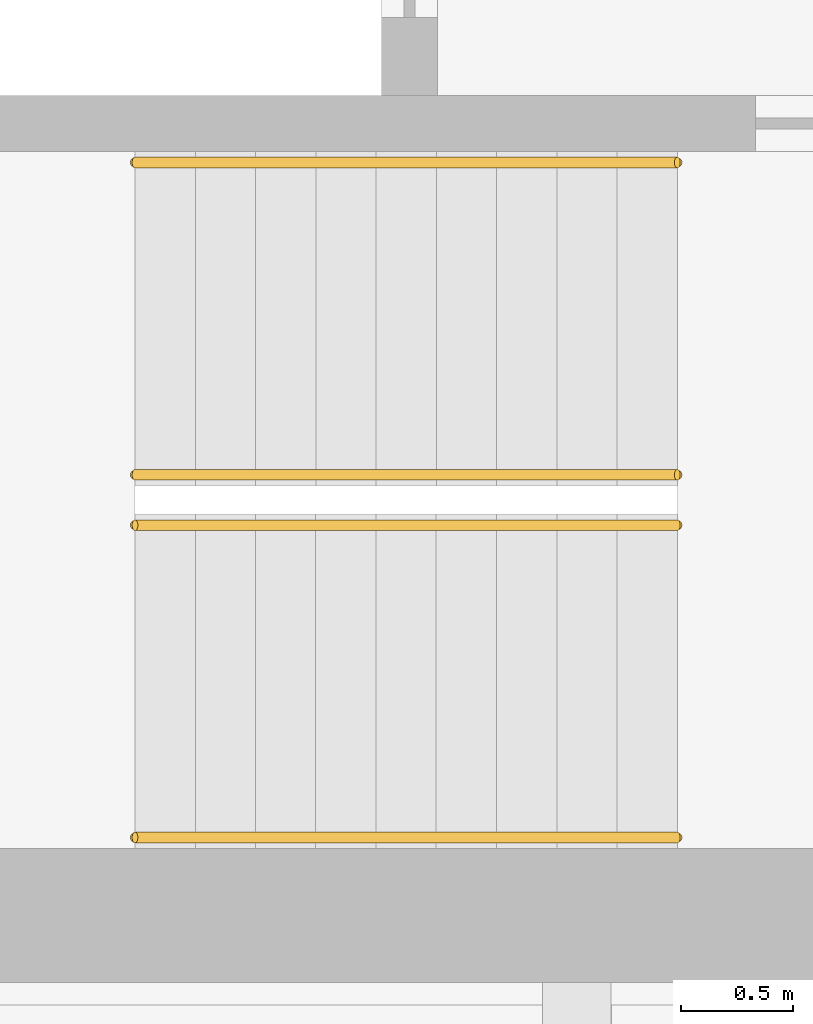
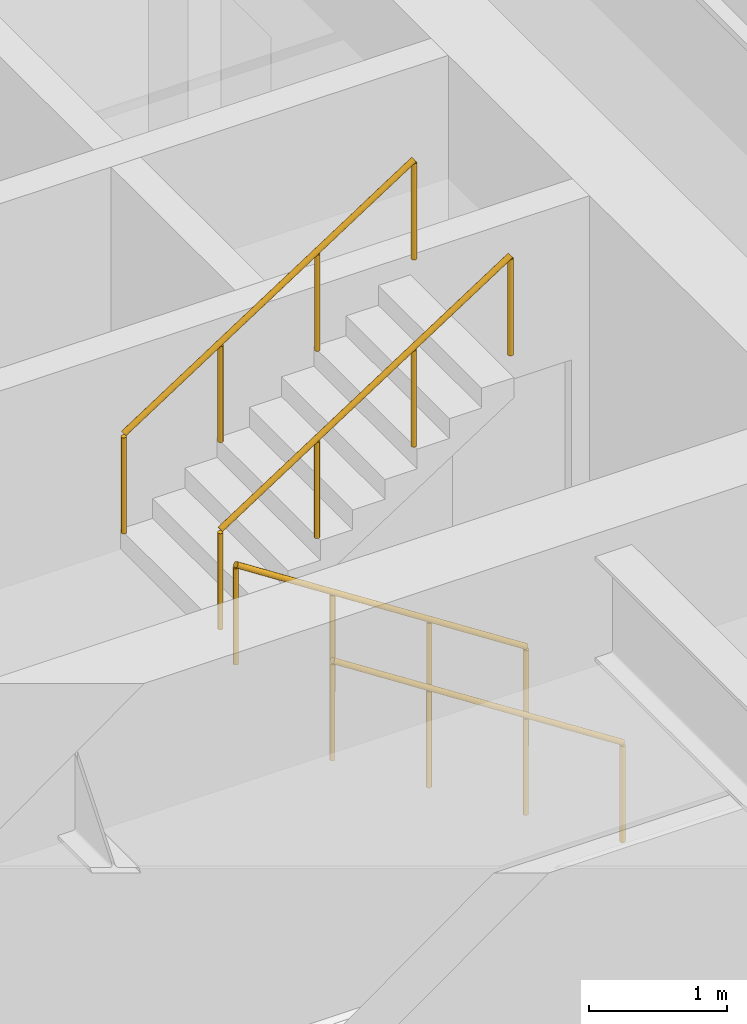
# One storey, part 17 of 21: 4 railings.
"""IFC4 building model written with IfcOpenShell, lengths in metres."""

from ifc_helpers import new_model, si_unit, direction, frame, origin, origin_2d, place, context, subcontext, project, spatial, circle, extrude, material, type_object, element, save


model = new_model("IFC4")

# Units and contexts
model_context = context("Model", 3, precision=1e-05, world=origin(), true_north=direction((0.0, 1.0)))
body_context = subcontext(model_context, "Body", "Model", "MODEL_VIEW")
ifc_project = project(units=[si_unit("LENGTHUNIT", "METRE"), si_unit("AREAUNIT", "SQUARE_METRE"), si_unit("VOLUMEUNIT", "CUBIC_METRE"), si_unit("PLANEANGLEUNIT", "RADIAN"), si_unit("MASSUNIT", "GRAM", prefix="KILO")], contexts=[model_context])

# Site, building, storey
site_placement = place(None, origin())
site = spatial("IfcSite", under=ifc_project, at=site_placement, CompositionType="ELEMENT")
building_placement = place(site_placement, origin())
building = spatial("IfcBuilding", under=site, at=building_placement, Name="Msasa Ring Tower", CompositionType="ELEMENT")
storey_placement = place(building_placement, frame((0.0, 0.0, 68.5)))
storey = spatial("IfcBuildingStorey", under=building, at=storey_placement, Name="L17", CompositionType="ELEMENT", Elevation=68.5)

# Railings
ifc_material = material(Name="Stainless steel", Category="steel")
railing_type = type_object("IfcRailingType", Name="HR1 HANDRAIL 900", PredefinedType="HANDRAIL", material=ifc_material)
for number, where, name in (
    (1, (-10.800048828125, -6.39990234375, 0.175048828125), "Handrail stair SWA L17 1"),
    (2, (-10.800048828125, -5.0, 0.175048828125), "Handrail stair SWA L17 2"),
):
    element("IfcRailing", number, at=place(storey_placement, frame(where)), inside=storey, type_object=railing_type, Name=name, PredefinedType="HANDRAIL", context=body_context, shape_type="SweptSolid", body=[
        extrude(circle(Radius=0.02392578125, at=origin_2d()), frame((0.0, 0.0, 0.8759765625), z_axis=(-0.839153699163, 0.0, 0.543894354798), x_axis=(0.0, -1.0, 0.0)), (0.0, 0.0, 1.0), 2.895751953125),
        extrude(circle(Radius=0.02099609375, at=origin_2d()), origin(), (0.0, 0.0, 1.0), 0.851806640625),
        extrude(circle(Radius=0.02099609375, at=origin_2d()), frame((-0.81005859375, 0.0, 0.52490234375)), (0.0, 0.0, 1.0), 0.851806640625),
        extrude(circle(Radius=0.02099609375, at=origin_2d()), frame((-1.619873046875, 0.0, 1.050048828125)), (0.0, 0.0, 1.0), 0.851806640625),
        extrude(circle(Radius=0.02099609375, at=origin_2d()), frame((-2.429931640625, 0.0, 1.574951171875)), (0.0, 0.0, 1.0), 0.851806640625),
    ])
for number, where, name in (
    (3, (-13.22998046875, -4.77490234375, 1.925048828125), "Handrail stair SWA L17 3"),
    (4, (-13.22998046875, -3.375, 1.925048828125), "Handrail stair SWA L17 4"),
):
    element("IfcRailing", number, at=place(storey_placement, frame(where)), inside=storey, type_object=railing_type, Name=name, PredefinedType="HANDRAIL", context=body_context, shape_type="SweptSolid", body=[
        extrude(circle(Radius=0.02392578125, at=origin_2d()), frame((0.0, 0.0, 0.8759765625), z_axis=(0.839153699163, 0.0, 0.543894354798), x_axis=(0.0, 1.0, 0.0)), (0.0, 0.0, 1.0), 2.895751953125),
        extrude(circle(Radius=0.02099609375, at=origin_2d()), origin(), (0.0, 0.0, 1.0), 0.851806640625),
        extrude(circle(Radius=0.02099609375, at=origin_2d()), frame((0.81005859375, 0.0, 0.52490234375)), (0.0, 0.0, 1.0), 0.851806640625),
        extrude(circle(Radius=0.02099609375, at=origin_2d()), frame((1.619873046875, 0.0, 1.050048828125)), (0.0, 0.0, 1.0), 0.851806640625),
        extrude(circle(Radius=0.02099609375, at=origin_2d()), frame((2.429931640625, 0.0, 1.574951171875)), (0.0, 0.0, 1.0), 0.851806640625),
    ])

save(model, "model.ifc")
